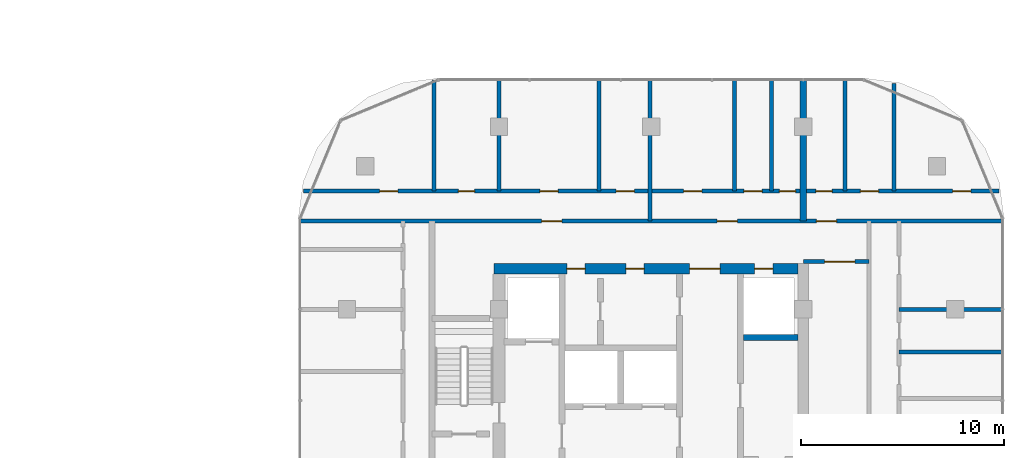
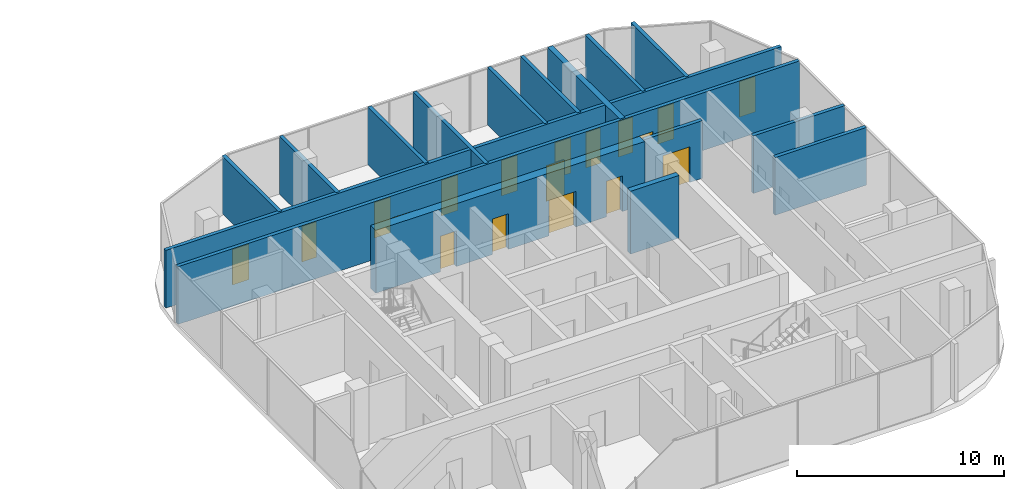
# One storey, part 24 of 34: 18 doors, 16 walls, 18 openings.
"""IFC4 building model written with IfcOpenShell, lengths in metres."""

from ifc_helpers import new_model, si_unit, direction, frame, frame_2d, origin, place, context, subcontext, project, spatial, rectangle, extrude, material, layer, layer_set, type_object, element, fill, save


model = new_model("IFC4")

# Units and contexts
model_context = context("Model", 3, precision=1e-05, world=origin(), true_north=direction((0.0, 1.0)))
body_context = subcontext(model_context, "Body", "Model", "MODEL_VIEW")
ifc_project = project(units=[si_unit("LENGTHUNIT", "METRE"), si_unit("AREAUNIT", "SQUARE_METRE"), si_unit("VOLUMEUNIT", "CUBIC_METRE"), si_unit("PLANEANGLEUNIT", "RADIAN"), si_unit("MASSUNIT", "GRAM", prefix="KILO")], contexts=[model_context])

# Site, building, storey
site_placement = place(None, origin())
site = spatial("IfcSite", under=ifc_project, at=site_placement, CompositionType="ELEMENT")
building_placement = place(site_placement, origin())
building = spatial("IfcBuilding", under=site, at=building_placement, Name="Ogive Portal Towers", CompositionType="ELEMENT")
storey_placement = place(building_placement, frame((0.0, 0.0, 66.800048828125)))
storey = spatial("IfcBuildingStorey", under=building, at=storey_placement, Name="L15", CompositionType="ELEMENT", Elevation=66.800048828125)

# Wall
ifc_material_1 = material(Name="Concrete C60/75", Category="concrete")
ifc_layer_1 = layer(ifc_material_1, 0.300048828125)
ifc_layer_set_1 = layer_set([ifc_layer_1], Name="CORE WALL 300 C60")
wall_type_1 = type_object("IfcWallType", Name="CORE WALL 300 C60", PredefinedType="SHEAR", material=ifc_layer_set_1)
wall_1_placement = place(storey_placement, frame((141.050048828125, 34.10009765625, 0.0), z_axis=(0.0, 0.0, 1.0), x_axis=(1.0, 0.0, 0.0)))
element("IfcWall", 1, at=wall_1_placement, inside=storey, type_object=wall_type_1, Name="Tower B core wall BY7 L15", PredefinedType="SHEAR", context=body_context, shape_type="SweptSolid", body=[
    extrude(rectangle(XDim=2.699951171875, YDim=0.300048828125, at=frame_2d((1.35009765625, 0.0))), origin(), (0.0, 0.0, 1.0), 3.699951171875),
])

# Wall, openings, doors
ifc_layer_2 = layer(ifc_material_1, 0.5)
ifc_layer_set_2 = layer_set([ifc_layer_2], Name="CORE WALL 500 C60")
wall_type_2 = type_object("IfcWallType", Name="CORE WALL 500 C60", PredefinedType="SHEAR", material=ifc_layer_set_2)
wall_2_placement = place(storey_placement, frame((128.75, 37.5, 0.0), z_axis=(0.0, 0.0, 1.0), x_axis=(1.0, 0.0, 0.0)))
wall_2 = element("IfcWall", 2, at=wall_2_placement, inside=storey, type_object=wall_type_2, Name="Tower B core wall BN L15", PredefinedType="SHEAR", context=body_context, shape_type="SweptSolid", body=[
    extrude(rectangle(XDim=15.0, YDim=0.5, at=frame_2d((7.5, 0.0))), origin(), (0.0, 0.0, 1.0), 3.699951171875),
])
opening_1_placement = place(wall_2_placement, frame((9.64990234375, 0.0, 0.0)))
opening_1 = element("IfcOpeningElement", 3, at=opening_1_placement, cuts=wall_2, Name="Opening B04-047", PredefinedType="OPENING", context=body_context, shape_type="SweptSolid", body=[
    extrude(rectangle(XDim=1.5, YDim=2.10009765625, at=frame_2d((0.75, 1.050048828125))), frame((0.0, 0.260009765625, 0.0), z_axis=(0.0, -1.0, 0.0), x_axis=(1.0, 0.0, 0.0)), (0.0, 0.0, 1.0), 0.52001953125),
])
opening_2_placement = place(wall_2_placement, frame((12.85009765625, 0.0, 0.0)))
opening_2 = element("IfcOpeningElement", 4, at=opening_2_placement, cuts=wall_2, Name="Opening B04-049", PredefinedType="OPENING", context=body_context, shape_type="SweptSolid", body=[
    extrude(rectangle(XDim=0.89990234375, YDim=2.10009765625, at=frame_2d((0.449951171875, 1.050048828125))), frame((0.0, 0.260009765625, 0.0), z_axis=(0.0, -1.0, 0.0), x_axis=(1.0, 0.0, 0.0)), (0.0, 0.0, 1.0), 0.52001953125),
])
opening_3_placement = place(wall_2_placement, frame((3.60009765625, 0.0, 0.0)))
opening_3 = element("IfcOpeningElement", 5, at=opening_3_placement, cuts=wall_2, Name="Opening B04-056", PredefinedType="OPENING", context=body_context, shape_type="SweptSolid", body=[
    extrude(rectangle(XDim=0.89990234375, YDim=2.10009765625, at=frame_2d((0.449951171875, 1.050048828125))), frame((0.0, 0.260009765625, 0.0), z_axis=(0.0, -1.0, 0.0), x_axis=(1.0, 0.0, 0.0)), (0.0, 0.0, 1.0), 0.52001953125),
])
opening_4_placement = place(wall_2_placement, frame((6.5, 0.0, 0.0)))
opening_4 = element("IfcOpeningElement", 6, at=opening_4_placement, cuts=wall_2, Name="Opening B04-057", PredefinedType="OPENING", context=body_context, shape_type="SweptSolid", body=[
    extrude(rectangle(XDim=0.89990234375, YDim=2.10009765625, at=frame_2d((0.449951171875, 1.050048828125))), frame((0.0, 0.260009765625, 0.0), z_axis=(0.0, -1.0, 0.0), x_axis=(1.0, 0.0, 0.0)), (0.0, 0.0, 1.0), 0.52001953125),
])
ifc_material_2 = material(Name="Steel fire door", Category="steel")
door_type_1 = type_object("IfcDoorType", Name="DT-SWING-1500x2100-FD90S", OperationType="SINGLE_SWING_LEFT", PredefinedType="DOOR", material=ifc_material_2)
door_1_placement = place(opening_1_placement, origin())
door_1 = element("IfcDoor", 7, at=door_1_placement, inside=storey, type_object=door_type_1, Name="Door B04-047", OperationType="SINGLE_SWING_RIGHT", OverallHeight=2.10009765625, OverallWidth=1.5, PredefinedType="DOOR", context=body_context, shape_type="SweptSolid", body=[
    extrude(rectangle(XDim=1.5, YDim=2.10009765625, at=frame_2d((0.75, 1.050048828125))), frame((0.0, 0.02490234375, 0.0), z_axis=(0.0, -1.0, 0.0), x_axis=(1.0, 0.0, 0.0)), (0.0, 0.0, 1.0), 0.050048828125),
])
fill(opening_1, door_1)
door_type_2 = type_object("IfcDoorType", Name="DT-SWING-900x2100-FD90S", OperationType="SINGLE_SWING_LEFT", PredefinedType="DOOR", material=ifc_material_2)
door_2_placement = place(opening_2_placement, origin())
door_2 = element("IfcDoor", 8, at=door_2_placement, inside=storey, type_object=door_type_2, Name="Riser access door B04-049", OperationType="SINGLE_SWING_RIGHT", OverallHeight=2.10009765625, OverallWidth=0.89990234375, PredefinedType="DOOR", context=body_context, shape_type="SweptSolid", body=[
    extrude(rectangle(XDim=0.89990234375, YDim=2.10009765625, at=frame_2d((0.449951171875, 1.050048828125))), frame((0.0, 0.02490234375, 0.0), z_axis=(0.0, -1.0, 0.0), x_axis=(1.0, 0.0, 0.0)), (0.0, 0.0, 1.0), 0.050048828125),
])
fill(opening_2, door_2)
door_3_placement = place(opening_3_placement, origin())
door_3 = element("IfcDoor", 9, at=door_3_placement, inside=storey, type_object=door_type_2, Name="Door B04-056", OperationType="SINGLE_SWING_LEFT", OverallHeight=2.10009765625, OverallWidth=0.89990234375, PredefinedType="DOOR", context=body_context, shape_type="SweptSolid", body=[
    extrude(rectangle(XDim=0.89990234375, YDim=2.10009765625, at=frame_2d((0.449951171875, 1.050048828125))), frame((0.0, 0.02490234375, 0.0), z_axis=(0.0, -1.0, 0.0), x_axis=(1.0, 0.0, 0.0)), (0.0, 0.0, 1.0), 0.050048828125),
])
fill(opening_3, door_3)
door_4_placement = place(opening_4_placement, origin())
door_4 = element("IfcDoor", 10, at=door_4_placement, inside=storey, type_object=door_type_2, Name="Door B04-057", OperationType="SINGLE_SWING_RIGHT", OverallHeight=2.10009765625, OverallWidth=0.89990234375, PredefinedType="DOOR", context=body_context, shape_type="SweptSolid", body=[
    extrude(rectangle(XDim=0.89990234375, YDim=2.10009765625, at=frame_2d((0.449951171875, 1.050048828125))), frame((0.0, 0.02490234375, 0.0), z_axis=(0.0, -1.0, 0.0), x_axis=(1.0, 0.0, 0.0)), (0.0, 0.0, 1.0), 0.050048828125),
])
fill(opening_4, door_4)

# Walls
ifc_material_3 = material(Name="Gypsum board partition on steel studs", Category="steel")
ifc_layer_3 = layer(ifc_material_3, 0.199951171875)
ifc_layer_set_3 = layer_set([ifc_layer_3], Name="WT-PART-200-EI 60")
wall_type_3 = type_object("IfcWallType", Name="WT-PART-200-EI 60", PredefinedType="PARTITIONING", material=ifc_layer_set_3)
for number, where, z_axis, x_axis, name in (
    (11, (148.72998046875, 33.39111328125, 0.0), (0.0, 0.0, 1.0), (1.0, 0.0, 0.0), "Wall L15:w013"),
    (12, (148.72998046875, 35.5, 0.0), (0.0, 0.0, 1.0), (1.0, 0.0, 0.0), "Wall L15:w016"),
):
    element("IfcWall", number, at=place(storey_placement, frame(where, z_axis=z_axis, x_axis=x_axis)), inside=storey, type_object=wall_type_3, Name=name, PredefinedType="PARTITIONING", context=body_context, shape_type="SweptSolid", body=[
        extrude(rectangle(XDim=5.10009765625, YDim=0.199951171875, at=frame_2d((2.550048828125, 0.0))), origin(), (0.0, 0.0, 1.0), 3.39990234375),
    ])

# Wall, opening, door
wall_3_placement = place(storey_placement, frame((144.02001953125, 37.85009765625, 0.0), z_axis=(0.0, 0.0, 1.0), x_axis=(1.0, 0.0, 0.0)))
wall_3 = element("IfcWall", 13, at=wall_3_placement, inside=storey, type_object=wall_type_3, Name="Wall L15:w018", PredefinedType="PARTITIONING", context=body_context, shape_type="SweptSolid", body=[
    extrude(rectangle(XDim=3.22998046875, YDim=0.199951171875, at=frame_2d((1.614990234375, 0.0))), origin(), (0.0, 0.0, 1.0), 3.39990234375),
])
opening_5_placement = place(wall_3_placement, frame((1.030029296875, 0.0, 0.0)))
opening_5 = element("IfcOpeningElement", 14, at=opening_5_placement, cuts=wall_3, Name="Opening B04-001", PredefinedType="OPENING", context=body_context, shape_type="SweptSolid", body=[
    extrude(rectangle(XDim=1.5, YDim=2.10009765625, at=frame_2d((0.75, 1.050048828125))), frame((0.0, 0.10986328125, 0.0), z_axis=(0.0, -1.0, 0.0), x_axis=(1.0, 0.0, 0.0)), (0.0, 0.0, 1.0), 0.219970703125),
])
door_type_3 = type_object("IfcDoorType", Name="DT-SWING-1500x2100-FD60S", OperationType="SINGLE_SWING_LEFT", PredefinedType="DOOR", material=ifc_material_2)
door_5_placement = place(opening_5_placement, origin())
door_5 = element("IfcDoor", 15, at=door_5_placement, inside=storey, type_object=door_type_3, Name="Door B04-001", OperationType="SINGLE_SWING_LEFT", OverallHeight=2.10009765625, OverallWidth=1.5, PredefinedType="DOOR", context=body_context, shape_type="SweptSolid", body=[
    extrude(rectangle(XDim=1.5, YDim=2.10009765625, at=frame_2d((0.75, 1.050048828125))), frame((0.0, 0.02490234375, 0.0), z_axis=(0.0, -1.0, 0.0), x_axis=(1.0, 0.0, 0.0)), (0.0, 0.0, 1.0), 0.050048828125),
])
fill(opening_5, door_5)

# Wall, openings, doors
wall_4_placement = place(storey_placement, frame((119.169921875, 39.85009765625, 0.0), z_axis=(0.0, 0.0, 1.0), x_axis=(1.0, 0.0, 0.0)))
wall_4 = element("IfcWall", 16, at=wall_4_placement, inside=storey, type_object=wall_type_3, Name="Wall L15:w020", PredefinedType="PARTITIONING", context=body_context, shape_type="SweptSolid", body=[
    extrude(rectangle(XDim=34.66015625, YDim=0.199951171875, at=frame_2d((17.330078125, 0.0))), origin(), (0.0, 0.0, 1.0), 3.39990234375),
])
opening_6_placement = place(wall_4_placement, frame((11.929931640625, 0.0, 0.0)))
opening_6 = element("IfcOpeningElement", 17, at=opening_6_placement, cuts=wall_4, Name="Opening B04-005", PredefinedType="OPENING", context=body_context, shape_type="SweptSolid", body=[
    extrude(rectangle(XDim=1.0, YDim=2.10009765625, at=frame_2d((0.5, 1.050048828125))), frame((0.0, 0.10986328125, 0.0), z_axis=(0.0, -1.0, 0.0), x_axis=(1.0, 0.0, 0.0)), (0.0, 0.0, 1.0), 0.219970703125),
])
opening_7_placement = place(wall_4_placement, frame((20.580078125, 0.0, 0.0)))
opening_7 = element("IfcOpeningElement", 18, at=opening_7_placement, cuts=wall_4, Name="Opening B04-010", PredefinedType="OPENING", context=body_context, shape_type="SweptSolid", body=[
    extrude(rectangle(XDim=1.0, YDim=2.10009765625, at=frame_2d((0.5, 1.050048828125))), frame((0.0, 0.10986328125, 0.0), z_axis=(0.0, -1.0, 0.0), x_axis=(1.0, 0.0, 0.0)), (0.0, 0.0, 1.0), 0.219970703125),
])
opening_8_placement = place(wall_4_placement, frame((25.47998046875, 0.0, 0.0)))
opening_8 = element("IfcOpeningElement", 19, at=opening_8_placement, cuts=wall_4, Name="Opening B04-014", PredefinedType="OPENING", context=body_context, shape_type="SweptSolid", body=[
    extrude(rectangle(XDim=1.0, YDim=2.10009765625, at=frame_2d((0.5, 1.050048828125))), frame((0.0, 0.10986328125, 0.0), z_axis=(0.0, -1.0, 0.0), x_axis=(1.0, 0.0, 0.0)), (0.0, 0.0, 1.0), 0.219970703125),
])
door_type_4 = type_object("IfcDoorType", Name="DT-SWING-1000x2100-FD60S", OperationType="SINGLE_SWING_LEFT", PredefinedType="DOOR", material=ifc_material_2)
door_6_placement = place(opening_6_placement, origin())
door_6 = element("IfcDoor", 20, at=door_6_placement, inside=storey, type_object=door_type_4, Name="Door B04-005", OperationType="SINGLE_SWING_LEFT", OverallHeight=2.10009765625, OverallWidth=1.0, PredefinedType="DOOR", context=body_context, shape_type="SweptSolid", body=[
    extrude(rectangle(XDim=1.0, YDim=2.10009765625, at=frame_2d((0.5, 1.050048828125))), frame((0.0, 0.02490234375, 0.0), z_axis=(0.0, -1.0, 0.0), x_axis=(1.0, 0.0, 0.0)), (0.0, 0.0, 1.0), 0.050048828125),
])
fill(opening_6, door_6)
door_7_placement = place(opening_7_placement, origin())
door_7 = element("IfcDoor", 21, at=door_7_placement, inside=storey, type_object=door_type_4, Name="Door B04-010", OperationType="SINGLE_SWING_RIGHT", OverallHeight=2.10009765625, OverallWidth=1.0, PredefinedType="DOOR", context=body_context, shape_type="SweptSolid", body=[
    extrude(rectangle(XDim=1.0, YDim=2.10009765625, at=frame_2d((0.5, 1.050048828125))), frame((0.0, 0.02490234375, 0.0), z_axis=(0.0, -1.0, 0.0), x_axis=(1.0, 0.0, 0.0)), (0.0, 0.0, 1.0), 0.050048828125),
])
fill(opening_7, door_7)
door_8_placement = place(opening_8_placement, origin())
door_8 = element("IfcDoor", 22, at=door_8_placement, inside=storey, type_object=door_type_4, Name="Door B04-014", OperationType="SINGLE_SWING_RIGHT", OverallHeight=2.10009765625, OverallWidth=1.0, PredefinedType="DOOR", context=body_context, shape_type="SweptSolid", body=[
    extrude(rectangle(XDim=1.0, YDim=2.10009765625, at=frame_2d((0.5, 1.050048828125))), frame((0.0, 0.02490234375, 0.0), z_axis=(0.0, -1.0, 0.0), x_axis=(1.0, 0.0, 0.0)), (0.0, 0.0, 1.0), 0.050048828125),
])
fill(opening_8, door_8)

wall_5_placement = place(storey_placement, frame((119.345947265625, 41.330078125, 0.0), z_axis=(0.0, 0.0, 1.0), x_axis=(1.0, 0.0, 0.0)))
wall_5 = element("IfcWall", 23, at=wall_5_placement, inside=storey, type_object=wall_type_3, Name="Wall L15:w021", PredefinedType="PARTITIONING", context=body_context, shape_type="SweptSolid", body=[
    extrude(rectangle(XDim=34.30810546875, YDim=0.199951171875, at=frame_2d((17.154052734375, 0.0))), origin(), (0.0, 0.0, 1.0), 3.39990234375),
])
opening_9_placement = place(wall_5_placement, frame((3.764892578125, 0.0, 0.0)))
opening_9 = element("IfcOpeningElement", 24, at=opening_9_placement, cuts=wall_5, Name="Opening B04-006", PredefinedType="OPENING", context=body_context, shape_type="SweptSolid", body=[
    extrude(rectangle(XDim=0.89990234375, YDim=2.10009765625, at=frame_2d((0.449951171875, 1.050048828125))), frame((0.0, 0.10986328125, 0.0), z_axis=(0.0, -1.0, 0.0), x_axis=(1.0, 0.0, 0.0)), (0.0, 0.0, 1.0), 0.219970703125),
])
opening_10_placement = place(wall_5_placement, frame((7.64501953125, 0.0, 0.0)))
opening_10 = element("IfcOpeningElement", 25, at=opening_10_placement, cuts=wall_5, Name="Opening B04-007", PredefinedType="OPENING", context=body_context, shape_type="SweptSolid", body=[
    extrude(rectangle(XDim=0.800048828125, YDim=2.10009765625, at=frame_2d((0.39990234375, 1.050048828125))), frame((0.0, 0.10986328125, 0.0), z_axis=(0.0, -1.0, 0.0), x_axis=(1.0, 0.0, 0.0)), (0.0, 0.0, 1.0), 0.219970703125),
])
opening_11_placement = place(wall_5_placement, frame((11.6708984375, 0.0, 0.0)))
opening_11 = element("IfcOpeningElement", 26, at=opening_11_placement, cuts=wall_5, Name="Opening B04-008", PredefinedType="OPENING", context=body_context, shape_type="SweptSolid", body=[
    extrude(rectangle(XDim=0.89990234375, YDim=2.10009765625, at=frame_2d((0.449951171875, 1.050048828125))), frame((0.0, 0.10986328125, 0.0), z_axis=(0.0, -1.0, 0.0), x_axis=(1.0, 0.0, 0.0)), (0.0, 0.0, 1.0), 0.219970703125),
])
opening_12_placement = place(wall_5_placement, frame((15.4208984375, 0.0, 0.0)))
opening_12 = element("IfcOpeningElement", 27, at=opening_12_placement, cuts=wall_5, Name="Opening B04-009", PredefinedType="OPENING", context=body_context, shape_type="SweptSolid", body=[
    extrude(rectangle(XDim=0.89990234375, YDim=2.10009765625, at=frame_2d((0.449951171875, 1.050048828125))), frame((0.0, 0.10986328125, 0.0), z_axis=(0.0, -1.0, 0.0), x_axis=(1.0, 0.0, 0.0)), (0.0, 0.0, 1.0), 0.219970703125),
])
opening_13_placement = place(wall_5_placement, frame((18.756103515625, 0.0, 0.0)))
opening_13 = element("IfcOpeningElement", 28, at=opening_13_placement, cuts=wall_5, Name="Opening B04-011", PredefinedType="OPENING", context=body_context, shape_type="SweptSolid", body=[
    extrude(rectangle(XDim=0.89990234375, YDim=2.10009765625, at=frame_2d((0.449951171875, 1.050048828125))), frame((0.0, 0.10986328125, 0.0), z_axis=(0.0, -1.0, 0.0), x_axis=(1.0, 0.0, 0.0)), (0.0, 0.0, 1.0), 0.219970703125),
])
opening_14_placement = place(wall_5_placement, frame((21.72509765625, 0.0, 0.0)))
opening_14 = element("IfcOpeningElement", 29, at=opening_14_placement, cuts=wall_5, Name="Opening B04-012", PredefinedType="OPENING", context=body_context, shape_type="SweptSolid", body=[
    extrude(rectangle(XDim=0.89990234375, YDim=2.10009765625, at=frame_2d((0.449951171875, 1.050048828125))), frame((0.0, 0.10986328125, 0.0), z_axis=(0.0, -1.0, 0.0), x_axis=(1.0, 0.0, 0.0)), (0.0, 0.0, 1.0), 0.219970703125),
])
opening_15_placement = place(wall_5_placement, frame((23.472900390625, 0.0, 0.0)))
opening_15 = element("IfcOpeningElement", 30, at=opening_15_placement, cuts=wall_5, Name="Opening B04-013", PredefinedType="OPENING", context=body_context, shape_type="SweptSolid", body=[
    extrude(rectangle(XDim=0.800048828125, YDim=2.10009765625, at=frame_2d((0.39990234375, 1.050048828125))), frame((0.0, 0.10986328125, 0.0), z_axis=(0.0, -1.0, 0.0), x_axis=(1.0, 0.0, 0.0)), (0.0, 0.0, 1.0), 0.219970703125),
])
opening_16_placement = place(wall_5_placement, frame((25.281982421875, 0.0, 0.0)))
opening_16 = element("IfcOpeningElement", 31, at=opening_16_placement, cuts=wall_5, Name="Opening B04-015", PredefinedType="OPENING", context=body_context, shape_type="SweptSolid", body=[
    extrude(rectangle(XDim=0.800048828125, YDim=2.10009765625, at=frame_2d((0.39990234375, 1.050048828125))), frame((0.0, 0.10986328125, 0.0), z_axis=(0.0, -1.0, 0.0), x_axis=(1.0, 0.0, 0.0)), (0.0, 0.0, 1.0), 0.219970703125),
])
opening_17_placement = place(wall_5_placement, frame((27.471923828125, 0.0, 0.0)))
opening_17 = element("IfcOpeningElement", 32, at=opening_17_placement, cuts=wall_5, Name="Opening B04-016", PredefinedType="OPENING", context=body_context, shape_type="SweptSolid", body=[
    extrude(rectangle(XDim=0.89990234375, YDim=2.10009765625, at=frame_2d((0.449951171875, 1.050048828125))), frame((0.0, 0.10986328125, 0.0), z_axis=(0.0, -1.0, 0.0), x_axis=(1.0, 0.0, 0.0)), (0.0, 0.0, 1.0), 0.219970703125),
])
opening_18_placement = place(wall_5_placement, frame((32.02490234375, 0.0, 0.0)))
opening_18 = element("IfcOpeningElement", 33, at=opening_18_placement, cuts=wall_5, Name="Opening B04-017", PredefinedType="OPENING", context=body_context, shape_type="SweptSolid", body=[
    extrude(rectangle(XDim=0.89990234375, YDim=2.10009765625, at=frame_2d((0.449951171875, 1.050048828125))), frame((0.0, 0.10986328125, 0.0), z_axis=(0.0, -1.0, 0.0), x_axis=(1.0, 0.0, 0.0)), (0.0, 0.0, 1.0), 0.219970703125),
])
door_type_5 = type_object("IfcDoorType", Name="DT-SWING-800x2100-FD60S", OperationType="SINGLE_SWING_LEFT", PredefinedType="DOOR", material=ifc_material_2)
door_9_placement = place(opening_10_placement, origin())
door_9 = element("IfcDoor", 34, at=door_9_placement, inside=storey, type_object=door_type_5, Name="Door B04-007", OperationType="SINGLE_SWING_LEFT", OverallHeight=2.10009765625, OverallWidth=0.800048828125, PredefinedType="DOOR", context=body_context, shape_type="SweptSolid", body=[
    extrude(rectangle(XDim=0.800048828125, YDim=2.10009765625, at=frame_2d((0.39990234375, 1.050048828125))), frame((0.0, 0.02490234375, 0.0), z_axis=(0.0, -1.0, 0.0), x_axis=(1.0, 0.0, 0.0)), (0.0, 0.0, 1.0), 0.050048828125),
])
fill(opening_10, door_9)
door_10_placement = place(opening_15_placement, origin())
door_10 = element("IfcDoor", 35, at=door_10_placement, inside=storey, type_object=door_type_5, Name="Door B04-013", OperationType="SINGLE_SWING_LEFT", OverallHeight=2.10009765625, OverallWidth=0.800048828125, PredefinedType="DOOR", context=body_context, shape_type="SweptSolid", body=[
    extrude(rectangle(XDim=0.800048828125, YDim=2.10009765625, at=frame_2d((0.39990234375, 1.050048828125))), frame((0.0, 0.02490234375, 0.0), z_axis=(0.0, -1.0, 0.0), x_axis=(1.0, 0.0, 0.0)), (0.0, 0.0, 1.0), 0.050048828125),
])
fill(opening_15, door_10)
door_11_placement = place(opening_16_placement, origin())
door_11 = element("IfcDoor", 36, at=door_11_placement, inside=storey, type_object=door_type_5, Name="Door B04-015", OperationType="SINGLE_SWING_LEFT", OverallHeight=2.10009765625, OverallWidth=0.800048828125, PredefinedType="DOOR", context=body_context, shape_type="SweptSolid", body=[
    extrude(rectangle(XDim=0.800048828125, YDim=2.10009765625, at=frame_2d((0.39990234375, 1.050048828125))), frame((0.0, 0.02490234375, 0.0), z_axis=(0.0, -1.0, 0.0), x_axis=(1.0, 0.0, 0.0)), (0.0, 0.0, 1.0), 0.050048828125),
])
fill(opening_16, door_11)
door_type_6 = type_object("IfcDoorType", Name="DT-SWING-900x2100-FD60S", OperationType="SINGLE_SWING_LEFT", PredefinedType="DOOR", material=ifc_material_2)
door_12_placement = place(opening_9_placement, origin())
door_12 = element("IfcDoor", 37, at=door_12_placement, inside=storey, type_object=door_type_6, Name="Door B04-006", OperationType="SINGLE_SWING_RIGHT", OverallHeight=2.10009765625, OverallWidth=0.89990234375, PredefinedType="DOOR", context=body_context, shape_type="SweptSolid", body=[
    extrude(rectangle(XDim=0.89990234375, YDim=2.10009765625, at=frame_2d((0.449951171875, 1.050048828125))), frame((0.0, 0.02490234375, 0.0), z_axis=(0.0, -1.0, 0.0), x_axis=(1.0, 0.0, 0.0)), (0.0, 0.0, 1.0), 0.050048828125),
])
fill(opening_9, door_12)
door_13_placement = place(opening_11_placement, origin())
door_13 = element("IfcDoor", 38, at=door_13_placement, inside=storey, type_object=door_type_6, Name="Door B04-008", OperationType="SINGLE_SWING_RIGHT", OverallHeight=2.10009765625, OverallWidth=0.89990234375, PredefinedType="DOOR", context=body_context, shape_type="SweptSolid", body=[
    extrude(rectangle(XDim=0.89990234375, YDim=2.10009765625, at=frame_2d((0.449951171875, 1.050048828125))), frame((0.0, 0.02490234375, 0.0), z_axis=(0.0, -1.0, 0.0), x_axis=(1.0, 0.0, 0.0)), (0.0, 0.0, 1.0), 0.050048828125),
])
fill(opening_11, door_13)
door_14_placement = place(opening_12_placement, origin())
door_14 = element("IfcDoor", 39, at=door_14_placement, inside=storey, type_object=door_type_6, Name="Door B04-009", OperationType="SINGLE_SWING_LEFT", OverallHeight=2.10009765625, OverallWidth=0.89990234375, PredefinedType="DOOR", context=body_context, shape_type="SweptSolid", body=[
    extrude(rectangle(XDim=0.89990234375, YDim=2.10009765625, at=frame_2d((0.449951171875, 1.050048828125))), frame((0.0, 0.02490234375, 0.0), z_axis=(0.0, -1.0, 0.0), x_axis=(1.0, 0.0, 0.0)), (0.0, 0.0, 1.0), 0.050048828125),
])
fill(opening_12, door_14)
door_15_placement = place(opening_13_placement, origin())
door_15 = element("IfcDoor", 40, at=door_15_placement, inside=storey, type_object=door_type_6, Name="Door B04-011", OperationType="SINGLE_SWING_LEFT", OverallHeight=2.10009765625, OverallWidth=0.89990234375, PredefinedType="DOOR", context=body_context, shape_type="SweptSolid", body=[
    extrude(rectangle(XDim=0.89990234375, YDim=2.10009765625, at=frame_2d((0.449951171875, 1.050048828125))), frame((0.0, 0.02490234375, 0.0), z_axis=(0.0, -1.0, 0.0), x_axis=(1.0, 0.0, 0.0)), (0.0, 0.0, 1.0), 0.050048828125),
])
fill(opening_13, door_15)
door_16_placement = place(opening_14_placement, origin())
door_16 = element("IfcDoor", 41, at=door_16_placement, inside=storey, type_object=door_type_6, Name="Door B04-012", OperationType="SINGLE_SWING_RIGHT", OverallHeight=2.10009765625, OverallWidth=0.89990234375, PredefinedType="DOOR", context=body_context, shape_type="SweptSolid", body=[
    extrude(rectangle(XDim=0.89990234375, YDim=2.10009765625, at=frame_2d((0.449951171875, 1.050048828125))), frame((0.0, 0.02490234375, 0.0), z_axis=(0.0, -1.0, 0.0), x_axis=(1.0, 0.0, 0.0)), (0.0, 0.0, 1.0), 0.050048828125),
])
fill(opening_14, door_16)
door_17_placement = place(opening_17_placement, origin())
door_17 = element("IfcDoor", 42, at=door_17_placement, inside=storey, type_object=door_type_6, Name="Door B04-016", OperationType="SINGLE_SWING_RIGHT", OverallHeight=2.10009765625, OverallWidth=0.89990234375, PredefinedType="DOOR", context=body_context, shape_type="SweptSolid", body=[
    extrude(rectangle(XDim=0.89990234375, YDim=2.10009765625, at=frame_2d((0.449951171875, 1.050048828125))), frame((0.0, 0.02490234375, 0.0), z_axis=(0.0, -1.0, 0.0), x_axis=(1.0, 0.0, 0.0)), (0.0, 0.0, 1.0), 0.050048828125),
])
fill(opening_17, door_17)
door_18_placement = place(opening_18_placement, origin())
door_18 = element("IfcDoor", 43, at=door_18_placement, inside=storey, type_object=door_type_6, Name="Door B04-017", OperationType="SINGLE_SWING_LEFT", OverallHeight=2.10009765625, OverallWidth=0.89990234375, PredefinedType="DOOR", context=body_context, shape_type="SweptSolid", body=[
    extrude(rectangle(XDim=0.89990234375, YDim=2.10009765625, at=frame_2d((0.449951171875, 1.050048828125))), frame((0.0, 0.02490234375, 0.0), z_axis=(0.0, -1.0, 0.0), x_axis=(1.0, 0.0, 0.0)), (0.0, 0.0, 1.0), 0.050048828125),
])
fill(opening_18, door_18)

# Walls
wall_6_placement = place(storey_placement, frame((125.782958984375, 41.330078125, 0.0), z_axis=(0.0, 0.0, 1.0), x_axis=(0.0, 1.0, 0.0)))
element("IfcWall", 44, at=wall_6_placement, inside=storey, type_object=wall_type_3, Name="Wall L15:w025", PredefinedType="PARTITIONING", context=body_context, shape_type="SweptSolid", body=[
    extrude(rectangle(XDim=5.470947265625, YDim=0.199951171875, at=frame_2d((2.7353515625, 0.0))), origin(), (0.0, 0.0, 1.0), 3.39990234375),
])
for number, where, z_axis, x_axis, name in (
    (45, (129.0, 41.330078125, 0.0), (0.0, 0.0, 1.0), (0.0, 1.0, 0.0), "Wall L15:w029"),
    (46, (133.93310546875, 41.330078125, 0.0), (0.0, 0.0, 1.0), (0.0, 1.0, 0.0), "Wall L15:w031"),
):
    element("IfcWall", number, at=place(storey_placement, frame(where, z_axis=z_axis, x_axis=x_axis)), inside=storey, type_object=wall_type_3, Name=name, PredefinedType="PARTITIONING", context=body_context, shape_type="SweptSolid", body=[
        extrude(rectangle(XDim=5.5, YDim=0.199951171875, at=frame_2d((2.75, 0.0))), origin(), (0.0, 0.0, 1.0), 3.39990234375),
    ])
wall_7_placement = place(storey_placement, frame((136.449951171875, 39.85009765625, 0.0), z_axis=(0.0, 0.0, 1.0), x_axis=(0.0, 1.0, 0.0)))
element("IfcWall", 47, at=wall_7_placement, inside=storey, type_object=wall_type_3, Name="Wall L15:w034", PredefinedType="PARTITIONING", context=body_context, shape_type="SweptSolid", body=[
    extrude(rectangle(XDim=6.97998046875, YDim=0.199951171875, at=frame_2d((3.489990234375, 0.0))), origin(), (0.0, 0.0, 1.0), 3.39990234375),
])
for number, where, z_axis, x_axis, name in (
    (48, (140.60400390625, 41.330078125, 0.0), (0.0, 0.0, 1.0), (0.0, 1.0, 0.0), "Wall L15:w036"),
    (49, (142.43798828125, 41.330078125, 0.0), (0.0, 0.0, 1.0), (0.0, 1.0, 0.0), "Wall L15:w037"),
    (50, (146.054931640625, 41.330078125, 0.0), (0.0, 0.0, 1.0), (0.0, 1.0, 0.0), "Wall L15:w043"),
):
    element("IfcWall", number, at=place(storey_placement, frame(where, z_axis=z_axis, x_axis=x_axis)), inside=storey, type_object=wall_type_3, Name=name, PredefinedType="PARTITIONING", context=body_context, shape_type="SweptSolid", body=[
        extrude(rectangle(XDim=5.5, YDim=0.199951171875, at=frame_2d((2.75, 0.0))), origin(), (0.0, 0.0, 1.0), 3.39990234375),
    ])
wall_8_placement = place(storey_placement, frame((148.48193359375, 41.330078125, 0.0), z_axis=(0.0, 0.0, 1.0), x_axis=(0.0, 1.0, 0.0)))
element("IfcWall", 51, at=wall_8_placement, inside=storey, type_object=wall_type_3, Name="Wall L15:w046", PredefinedType="PARTITIONING", context=body_context, shape_type="SweptSolid", body=[
    extrude(rectangle(XDim=5.303955078125, YDim=0.199951171875, at=frame_2d((2.65185546875, 0.0))), origin(), (0.0, 0.0, 1.0), 3.39990234375),
])
ifc_layer_4 = layer(ifc_material_3, 0.300048828125)
ifc_layer_set_4 = layer_set([ifc_layer_4], Name="WT-PART-300-EI 60")
wall_type_4 = type_object("IfcWallType", Name="WT-PART-300-EI 60", PredefinedType="PARTITIONING", material=ifc_layer_set_4)
wall_9_placement = place(storey_placement, frame((144.0, 39.85009765625, 0.0), z_axis=(0.0, 0.0, 1.0), x_axis=(0.0, 1.0, 0.0)))
element("IfcWall", 52, at=wall_9_placement, inside=storey, type_object=wall_type_4, Name="Wall L15:w039", PredefinedType="PARTITIONING", context=body_context, shape_type="SweptSolid", body=[
    extrude(rectangle(XDim=6.97998046875, YDim=0.300048828125, at=frame_2d((3.489990234375, 0.0))), origin(), (0.0, 0.0, 1.0), 3.39990234375),
])

save(model, "model.ifc")
